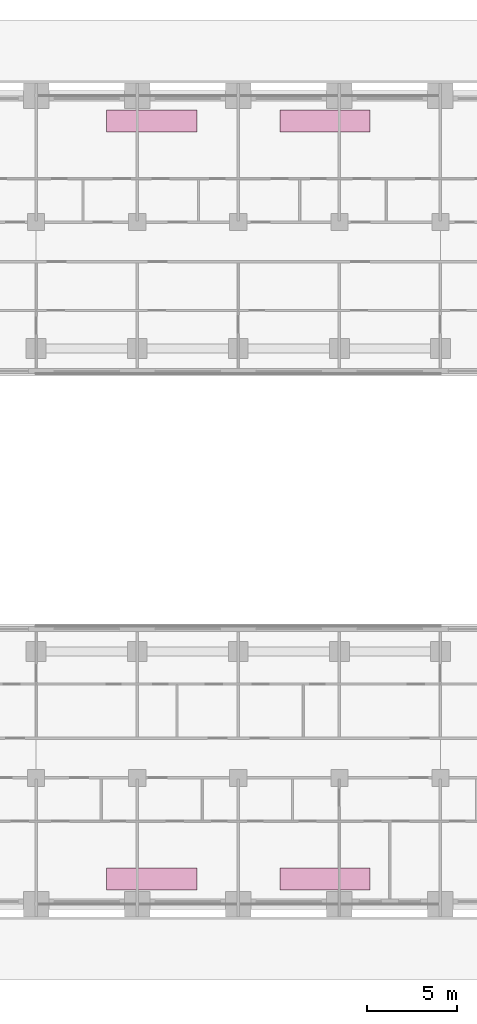
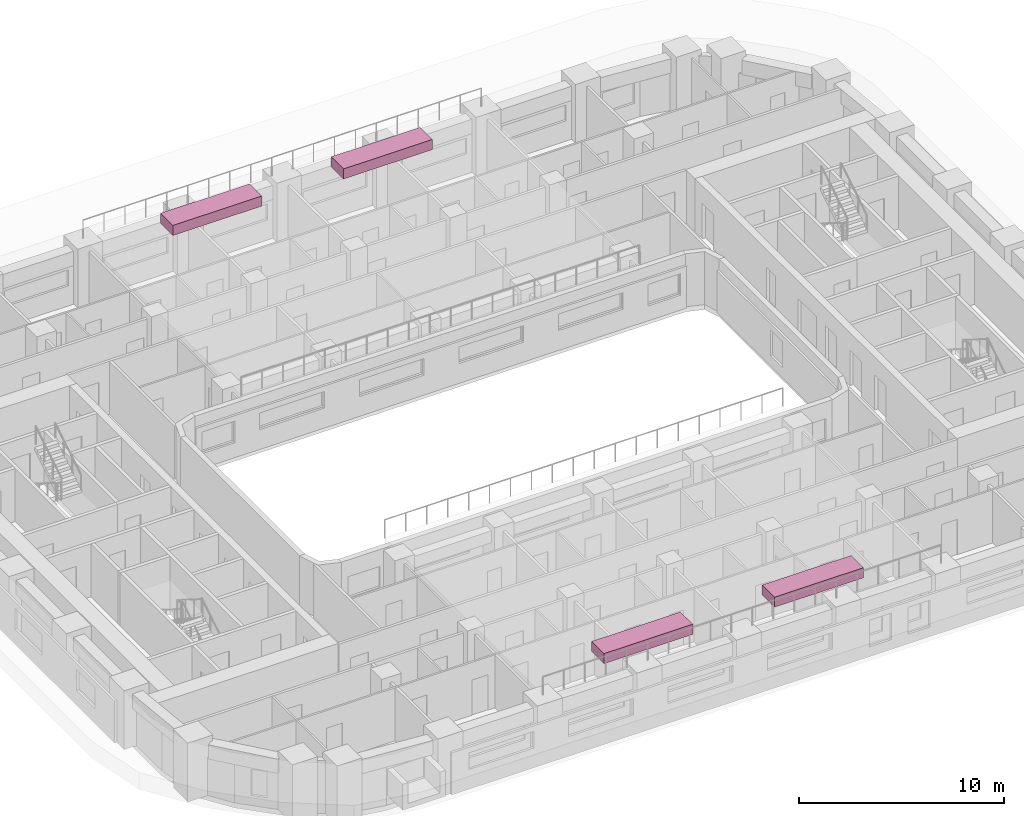
# One storey, part 18 of 18: 4 furnishings.
"""IFC4 building model written with IfcOpenShell, lengths in metres."""

from ifc_helpers import new_model, si_unit, direction, frame, origin, origin_2d, place, context, subcontext, project, spatial, rectangle, extrude, material, type_object, element, save


model = new_model("IFC4")

# Units and contexts
model_context = context("Model", 3, precision=1e-05, world=origin(), true_north=direction((0.0, 1.0)))
body_context = subcontext(model_context, "Body", "Model", "MODEL_VIEW")
ifc_project = project(units=[si_unit("LENGTHUNIT", "METRE"), si_unit("AREAUNIT", "SQUARE_METRE"), si_unit("VOLUMEUNIT", "CUBIC_METRE"), si_unit("PLANEANGLEUNIT", "RADIAN"), si_unit("MASSUNIT", "GRAM", prefix="KILO")], contexts=[model_context])

# Site, building, storey
site_placement = place(None, origin())
site = spatial("IfcSite", under=ifc_project, at=site_placement, CompositionType="ELEMENT")
building_placement = place(site_placement, origin())
building = spatial("IfcBuilding", under=site, at=building_placement, Name="Kiln Ring Residences", CompositionType="ELEMENT")
storey_placement = place(building_placement, frame((0.0, 0.0, 69.0)))
storey = spatial("IfcBuildingStorey", under=building, at=storey_placement, Name="L17", CompositionType="ELEMENT", Elevation=69.0)

# Furnishings
ifc_material = material(Name="Brick masonry, dark clay brick", Category="masonry")
furnishing_element_type = type_object("IfcFurnishingElementType", Name="PLANTER 1200 x 600", material=ifc_material)
for number, where, z_axis, x_axis, name in (
    (1, (-4.800048828125, 21.0, 3.5), (0.0, 0.0, 1.0), (1.0, 0.0, 0.0), "PLANTER L17 1"),
    (2, (4.800048828125, 21.0, 3.5), (0.0, 0.0, 1.0), (1.0, 0.0, 0.0), "PLANTER L17 2"),
    (3, (-4.800048828125, -21.0, 3.5), (0.0, 0.0, 1.0), (1.0, 0.0, 0.0), "PLANTER L17 1"),
    (4, (4.800048828125, -21.0, 3.5), (0.0, 0.0, 1.0), (1.0, 0.0, 0.0), "PLANTER L17 2"),
):
    element("IfcFurnishingElement", number, at=place(storey_placement, frame(where, z_axis=z_axis, x_axis=x_axis)), inside=storey, type_object=furnishing_element_type, Name=name, ObjectType="PLANTER", context=body_context, shape_type="SweptSolid", body=[
        extrude(rectangle(XDim=5.0, YDim=1.199951171875, at=origin_2d()), origin(), (0.0, 0.0, 1.0), 0.60009765625),
    ])

save(model, "model.ifc")
